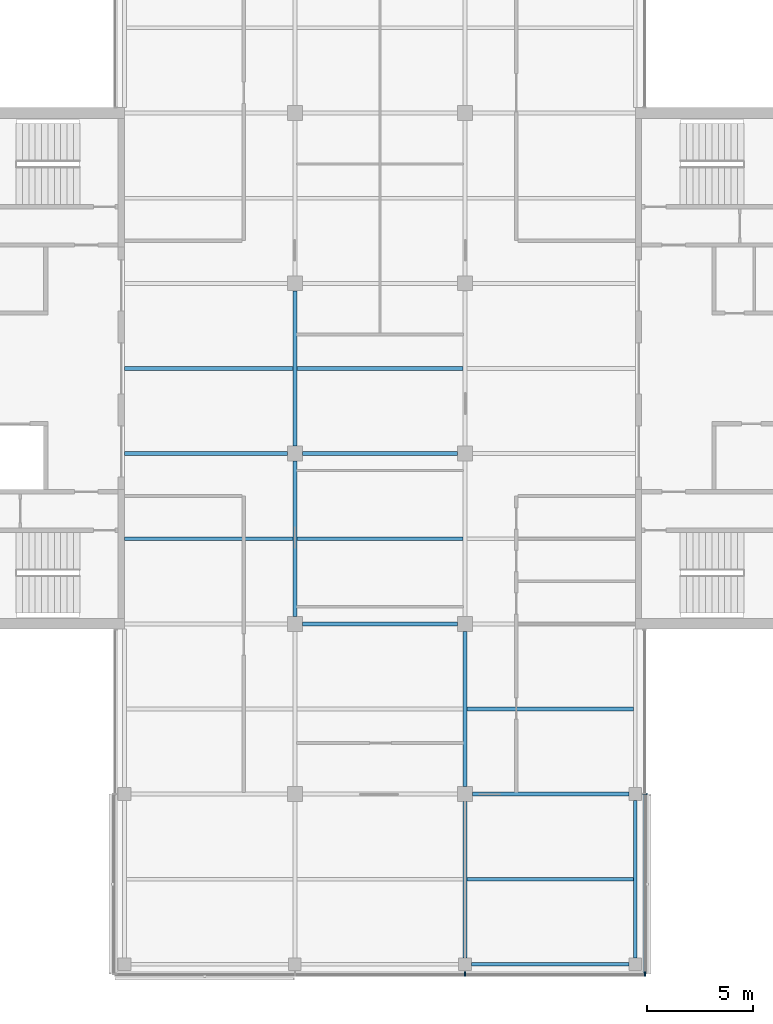
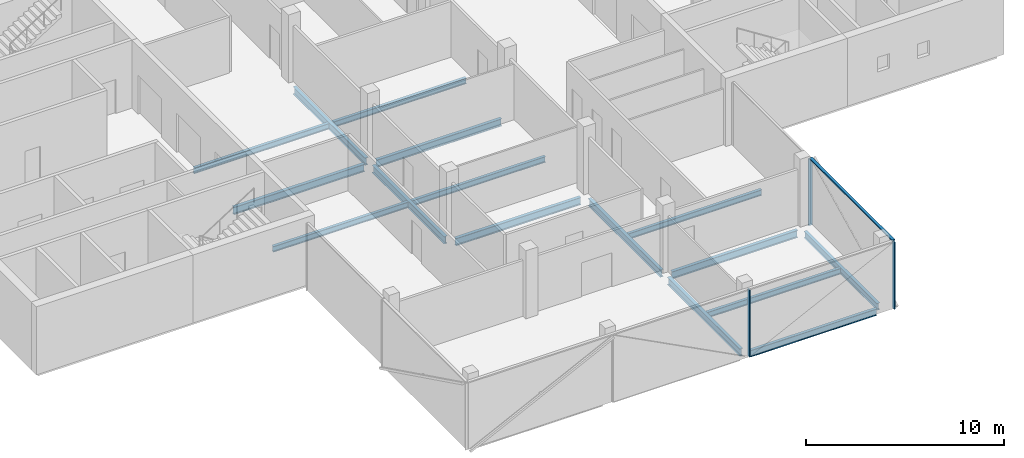
# One storey, part 3 of 15: 16 beams, 4 members, 2 elements without a shape of their own.
"""IFC4 building model written with IfcOpenShell, lengths in metres."""

from ifc_helpers import new_model, si_unit, direction, frame, origin, origin_2d, place, context, subcontext, project, spatial, rectangle, i_section, extrude, material, material_profile, profile_set, type_object, element, aggregate, save


model = new_model("IFC4")

# Units and contexts
model_context = context("Model", 3, precision=1e-05, world=origin(), true_north=direction((0.0, 1.0)))
body_context = subcontext(model_context, "Body", "Model", "MODEL_VIEW")
ifc_project = project(units=[si_unit("LENGTHUNIT", "METRE"), si_unit("AREAUNIT", "SQUARE_METRE"), si_unit("VOLUMEUNIT", "CUBIC_METRE"), si_unit("PLANEANGLEUNIT", "RADIAN"), si_unit("MASSUNIT", "GRAM", prefix="KILO")], contexts=[model_context])

# Site, building, storey
site_placement = place(None, origin())
site = spatial("IfcSite", under=ifc_project, at=site_placement, CompositionType="ELEMENT")
building_placement = place(site_placement, origin())
building = spatial("IfcBuilding", under=site, at=building_placement, Name="Crosswind Convention Tower", CompositionType="ELEMENT")
storey_placement = place(building_placement, frame((0.0, 0.0, 261.89990234375)))
storey = spatial("IfcBuildingStorey", under=building, at=storey_placement, Name="L56", CompositionType="ELEMENT", Elevation=261.89990234375)

# Beams
ifc_material_1 = material(Name="Steel S355", Category="steel")
ifc_material_profile_1 = material_profile(ifc_material_1, i_section(OverallWidth=0.177734375, OverallDepth=0.406494140625, WebThickness=0.0078125, FlangeThickness=0.0126953125, FilletRadius=0.01025390625, at=origin_2d()), Name="UB 406x178x60")
ifc_profile_set_1 = profile_set([ifc_material_profile_1], Name="Steel S355")
beam_type_1 = type_object("IfcBeamType", Name="Edge beam UB 406x178x60", PredefinedType="SPANDREL", material=ifc_profile_set_1)
for number, where, z_axis, x_axis, name in (
    (1, (129.300048828125, 72.0, -0.503173828125), (1.0, 0.0, 0.0), (0.0, 1.0, 0.0), "B15 L56 edge beam 9"),
    (2, (137.0, 72.300048828125, -0.503173828125), (0.0, 1.0, 0.0), (-1.0, 0.0, 0.0), "B15 L56 edge beam 11"),
):
    element("IfcBeam", number, at=place(storey_placement, frame(where, z_axis=z_axis, x_axis=x_axis)), inside=storey, type_object=beam_type_1, Name=name, PredefinedType="SPANDREL", context=body_context, shape_type="SweptSolid", body=[
        extrude(i_section(OverallWidth=0.177734375, OverallDepth=0.406494140625, WebThickness=0.0078125, FlangeThickness=0.0126953125, FilletRadius=0.01025390625, at=origin_2d()), origin(), (0.0, 0.0, 1.0), 7.39990234375),
    ])
ifc_material_profile_2 = material_profile(ifc_material_1, i_section(OverallWidth=0.18994140625, OverallDepth=0.45361328125, WebThickness=0.008544921875, FlangeThickness=0.0126953125, FilletRadius=0.01025390625, at=origin_2d()), Name="UB 457x191x67")
ifc_profile_set_2 = profile_set([ifc_material_profile_2], Name="Steel S355")
beam_type_2 = type_object("IfcBeamType", Name="Girder UB 457x191x67", PredefinedType="BEAM", material=ifc_profile_set_2)
for number, where, z_axis, x_axis, name in (
    (3, (121.0, 88.35009765625, -0.526611328125), (0.0, 1.0, 0.0), (-1.0, 0.0, 0.0), "B1 L56 girder 5"),
    (4, (121.0, 96.35009765625, -0.526611328125), (0.0, 1.0, 0.0), (-1.0, 0.0, 0.0), "B1 L56 girder 6"),
    (5, (121.35009765625, 88.0, -0.526611328125), (1.0, 0.0, 0.0), (0.0, 1.0, 0.0), "B1 L56 girder 11"),
    (6, (121.35009765625, 96.0, -0.526611328125), (1.0, 0.0, 0.0), (0.0, 1.0, 0.0), "B1 L56 girder 12"),
):
    element("IfcBeam", number, at=place(storey_placement, frame(where, z_axis=z_axis, x_axis=x_axis)), inside=storey, type_object=beam_type_2, Name=name, PredefinedType="BEAM", context=body_context, shape_type="SweptSolid", body=[
        extrude(i_section(OverallWidth=0.18994140625, OverallDepth=0.45361328125, WebThickness=0.008544921875, FlangeThickness=0.0126953125, FilletRadius=0.01025390625, at=origin_2d()), origin(), (0.0, 0.0, 1.0), 7.2998046875),
    ])
beam_1_placement = place(storey_placement, frame((129.0, 72.300048828125, -0.526611328125), z_axis=(0.0, 1.0, 0.0), x_axis=(-1.0, 0.0, 0.0)))
element("IfcBeam", 7, at=beam_1_placement, inside=storey, type_object=beam_type_2, Name="B1 L56 girder 16", PredefinedType="BEAM", context=body_context, shape_type="SweptSolid", body=[
    extrude(i_section(OverallWidth=0.18994140625, OverallDepth=0.45361328125, WebThickness=0.008544921875, FlangeThickness=0.0126953125, FilletRadius=0.01025390625, at=origin_2d()), origin(), (0.0, 0.0, 1.0), 7.349853515625),
])
beam_2_placement = place(storey_placement, frame((129.0, 80.35009765625, -0.526611328125), z_axis=(0.0, 1.0, 0.0), x_axis=(-1.0, 0.0, 0.0)))
element("IfcBeam", 8, at=beam_2_placement, inside=storey, type_object=beam_type_2, Name="B1 L56 girder 17", PredefinedType="BEAM", context=body_context, shape_type="SweptSolid", body=[
    extrude(i_section(OverallWidth=0.18994140625, OverallDepth=0.45361328125, WebThickness=0.008544921875, FlangeThickness=0.0126953125, FilletRadius=0.01025390625, at=origin_2d()), origin(), (0.0, 0.0, 1.0), 7.2998046875),
])
beam_3_placement = place(storey_placement, frame((129.35009765625, 80.0, -0.526611328125), z_axis=(1.0, 0.0, 0.0), x_axis=(0.0, 1.0, 0.0)))
element("IfcBeam", 9, at=beam_3_placement, inside=storey, type_object=beam_type_2, Name="B1 L56 girder 23", PredefinedType="BEAM", context=body_context, shape_type="SweptSolid", body=[
    extrude(i_section(OverallWidth=0.18994140625, OverallDepth=0.45361328125, WebThickness=0.008544921875, FlangeThickness=0.0126953125, FilletRadius=0.01025390625, at=origin_2d()), origin(), (0.0, 0.0, 1.0), 7.349853515625),
])
ifc_material_profile_3 = material_profile(ifc_material_1, i_section(OverallWidth=0.1904296875, OverallDepth=0.457275390625, WebThickness=0.009033203125, FlangeThickness=0.014404296875, FilletRadius=0.01025390625, at=origin_2d()), Name="UB 457x191x75")
ifc_profile_set_3 = profile_set([ifc_material_profile_3], Name="Steel S355")
beam_type_3 = type_object("IfcBeamType", Name="Girder at core wall UB 457x191x75", PredefinedType="BEAM", material=ifc_profile_set_3)
beam_4_placement = place(storey_placement, frame((113.0, 96.0, -0.528564453125), z_axis=(1.0, 0.0, 0.0), x_axis=(0.0, 1.0, 0.0)))
element("IfcBeam", 10, at=beam_4_placement, inside=storey, type_object=beam_type_3, Name="B22 L56 girder at core wall 2", PredefinedType="BEAM", context=body_context, shape_type="SweptSolid", body=[
    extrude(i_section(OverallWidth=0.1904296875, OverallDepth=0.457275390625, WebThickness=0.009033203125, FlangeThickness=0.014404296875, FilletRadius=0.01025390625, at=origin_2d()), origin(), (0.0, 0.0, 1.0), 7.64990234375),
])

# Curtain wall, members
ifc_material_2 = material(Name="Aluminium unitised curtain wall", Category="aluminium")
curtain_wall_type = type_object("IfcCurtainWallType", Name="OFFICE UNITISED WALL 220", PredefinedType="USERDEFINED", material=ifc_material_2)
curtain_wall_1_placement = place(storey_placement, origin())
curtain_wall_1 = element("IfcCurtainWall", 11, at=curtain_wall_1_placement, inside=storey, type_object=curtain_wall_type, Name="CW3 L56 S-TIP 1", ObjectType="UNITISED", PredefinedType="USERDEFINED")
ifc_material_3 = material(Name="Aluminium mullion", Category="aluminium")
ifc_material_profile_4 = material_profile(ifc_material_3, rectangle(XDim=0.219970703125, YDim=0.070068359375, at=origin_2d()), Name="AL 220X70")
ifc_profile_set_4 = profile_set([ifc_material_profile_4], Name="Aluminium mullion")
member_type_1 = type_object("IfcMemberType", Name="MULLION 70X220", PredefinedType="MULLION", material=ifc_profile_set_4)
member_1_placement = place(storey_placement, frame((129.0, 71.5400390625, -0.2998046875), z_axis=(0.0, 0.0, 1.0), x_axis=(0.0, -1.0, 0.0)))
member_1 = element("IfcMember", 12, at=member_1_placement, type_object=member_type_1, Name="CW3 mullion 3", PredefinedType="MULLION", context=body_context, shape_type="SweptSolid", body=[
    extrude(rectangle(XDim=0.219970703125, YDim=0.070068359375, at=origin_2d()), origin(), (0.0, 0.0, 1.0), 4.1298828125),
])
member_2_placement = place(storey_placement, frame((137.4599609375, 71.5400390625, -0.2998046875), z_axis=(0.0, 0.0, 1.0), x_axis=(0.0, -1.0, 0.0)))
member_2 = element("IfcMember", 13, at=member_2_placement, type_object=member_type_1, Name="CW3 mullion 4", PredefinedType="MULLION", context=body_context, shape_type="SweptSolid", body=[
    extrude(rectangle(XDim=0.219970703125, YDim=0.070068359375, at=origin_2d()), origin(), (0.0, 0.0, 1.0), 4.1298828125),
])
aggregate(curtain_wall_1, [member_1, member_2])

# Curtain wall, member
curtain_wall_2_placement = place(storey_placement, origin())
curtain_wall_2 = element("IfcCurtainWall", 14, at=curtain_wall_2_placement, inside=storey, type_object=curtain_wall_type, Name="CW3 L56 S-E 1", ObjectType="UNITISED", PredefinedType="USERDEFINED")
member_3_placement = place(storey_placement, frame((137.4599609375, 80.0, -0.2998046875), z_axis=(0.0, 0.0, 1.0), x_axis=(1.0, 0.0, 0.0)))
member_3 = element("IfcMember", 15, at=member_3_placement, type_object=member_type_1, Name="CW3 mullion 2", PredefinedType="MULLION", context=body_context, shape_type="SweptSolid", body=[
    extrude(rectangle(XDim=0.219970703125, YDim=0.070068359375, at=origin_2d()), origin(), (0.0, 0.0, 1.0), 4.1298828125),
])

# Beams
ifc_material_profile_5 = material_profile(ifc_material_1, i_section(OverallWidth=0.17138671875, OverallDepth=0.355712890625, WebThickness=0.00732421875, FlangeThickness=0.011474609375, FilletRadius=0.01025390625, at=origin_2d()), Name="UB 356x171x51")
ifc_profile_set_5 = profile_set([ifc_material_profile_5], Name="Steel S355")
beam_type_4 = type_object("IfcBeamType", Name="Secondary beam UB 356x171x51", PredefinedType="JOIST", material=ifc_profile_set_5)
for number, where, z_axis, x_axis, name in (
    (16, (113.0, 92.0, -0.477783203125), (1.0, 0.0, 0.0), (0.0, 1.0, 0.0), "B8 L56 secondary beam 1"),
    (17, (113.0, 100.0, -0.477783203125), (1.0, 0.0, 0.0), (0.0, 1.0, 0.0), "B8 L56 secondary beam 2"),
):
    element("IfcBeam", number, at=place(storey_placement, frame(where, z_axis=z_axis, x_axis=x_axis)), inside=storey, type_object=beam_type_4, Name=name, PredefinedType="JOIST", context=body_context, shape_type="SweptSolid", body=[
        extrude(i_section(OverallWidth=0.17138671875, OverallDepth=0.355712890625, WebThickness=0.00732421875, FlangeThickness=0.011474609375, FilletRadius=0.01025390625, at=origin_2d()), origin(), (0.0, 0.0, 1.0), 7.905029296875),
    ])
for number, where, z_axis, x_axis, name in (
    (18, (121.094970703125, 92.0, -0.477783203125), (1.0, 0.0, 0.0), (0.0, 1.0, 0.0), "B8 L56 secondary beam 10"),
    (19, (121.094970703125, 100.0, -0.477783203125), (1.0, 0.0, 0.0), (0.0, 1.0, 0.0), "B8 L56 secondary beam 11"),
):
    element("IfcBeam", number, at=place(storey_placement, frame(where, z_axis=z_axis, x_axis=x_axis)), inside=storey, type_object=beam_type_4, Name=name, PredefinedType="JOIST", context=body_context, shape_type="SweptSolid", body=[
        extrude(i_section(OverallWidth=0.17138671875, OverallDepth=0.355712890625, WebThickness=0.00732421875, FlangeThickness=0.011474609375, FilletRadius=0.01025390625, at=origin_2d()), origin(), (0.0, 0.0, 1.0), 7.81005859375),
    ])
for number, where, z_axis, x_axis, name in (
    (20, (129.094970703125, 76.0, -0.477783203125), (1.0, 0.0, 0.0), (0.0, 1.0, 0.0), "B8 L56 secondary beam 15"),
    (21, (129.094970703125, 84.0, -0.477783203125), (1.0, 0.0, 0.0), (0.0, 1.0, 0.0), "B8 L56 secondary beam 16"),
):
    element("IfcBeam", number, at=place(storey_placement, frame(where, z_axis=z_axis, x_axis=x_axis)), inside=storey, type_object=beam_type_4, Name=name, PredefinedType="JOIST", context=body_context, shape_type="SweptSolid", body=[
        extrude(i_section(OverallWidth=0.17138671875, OverallDepth=0.355712890625, WebThickness=0.00732421875, FlangeThickness=0.011474609375, FilletRadius=0.01025390625, at=origin_2d()), origin(), (0.0, 0.0, 1.0), 7.816162109375),
    ])

# Member
ifc_material_4 = material(Name="Aluminium transom", Category="aluminium")
ifc_material_profile_6 = material_profile(ifc_material_4, rectangle(XDim=0.159912109375, YDim=0.070068359375, at=origin_2d()), Name="AL 160X70")
ifc_profile_set_6 = profile_set([ifc_material_profile_6], Name="Aluminium transom")
member_type_2 = type_object("IfcMemberType", Name="TRANSOM 70X160", PredefinedType="USERDEFINED", material=ifc_profile_set_6)
member_4_placement = place(storey_placement, frame((137.4599609375, 71.574951171875, 3.864990234375), z_axis=(0.0, 1.0, 0.0), x_axis=(-1.0, 0.0, 0.0)))
member_4 = element("IfcMember", 22, at=member_4_placement, type_object=member_type_2, Name="CW3 transom", ObjectType="TRANSOM", PredefinedType="USERDEFINED", context=body_context, shape_type="SweptSolid", body=[
    extrude(rectangle(XDim=0.159912109375, YDim=0.070068359375, at=origin_2d()), origin(), (0.0, 0.0, 1.0), 8.39013671875),
])

aggregate(curtain_wall_2, [member_3, member_4])

save(model, "model.ifc")
